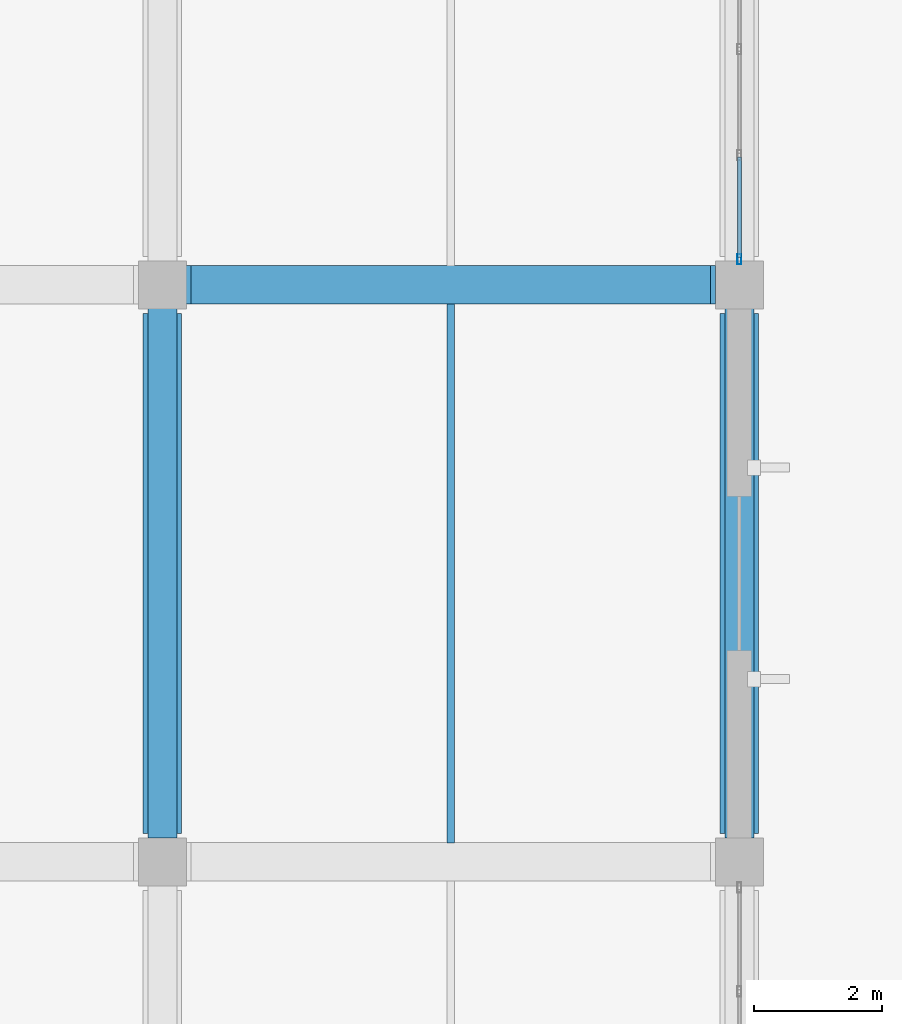
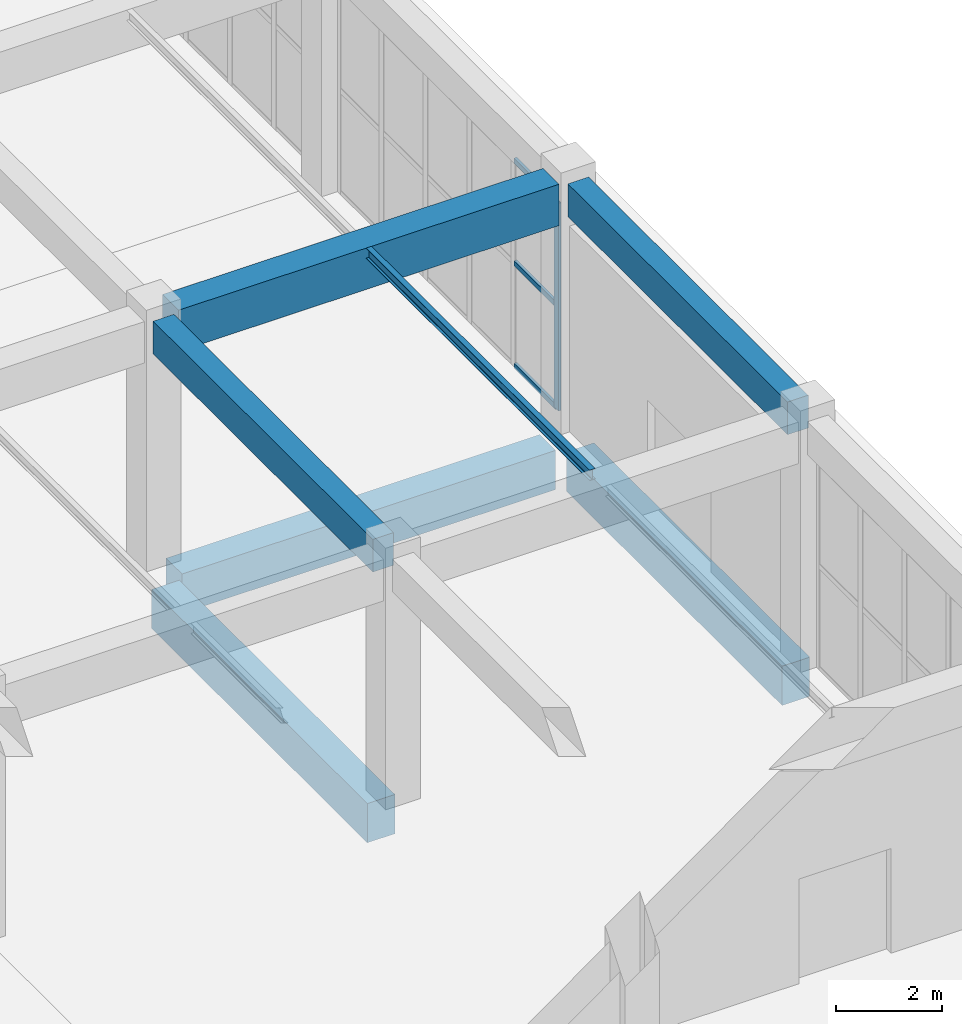
# One storey, part 13 of 91: 7 beams, 4 members, 1 element without a shape of its own.
"""IFC4 building model written with IfcOpenShell, lengths in metres."""

from ifc_helpers import new_model, si_unit, direction, frame, origin, origin_2d, place, context, subcontext, project, spatial, rectangle, hollow_rectangle, i_section, extrude, material, layer, layer_set, material_profile, profile_set, type_object, element, aggregate, save


model = new_model("IFC4")

# Units and contexts
model_context = context("Model", 3, precision=1e-05, world=origin(), true_north=direction((0.0, 1.0)))
body_context = subcontext(model_context, "Body", "Model", "MODEL_VIEW")
ifc_project = project(units=[si_unit("LENGTHUNIT", "METRE"), si_unit("AREAUNIT", "SQUARE_METRE"), si_unit("VOLUMEUNIT", "CUBIC_METRE"), si_unit("PLANEANGLEUNIT", "RADIAN"), si_unit("MASSUNIT", "GRAM", prefix="KILO")], contexts=[model_context])

# Site, building, storey
site_placement = place(None, origin())
site = spatial("IfcSite", under=ifc_project, at=site_placement, CompositionType="ELEMENT")
building_placement = place(site_placement, origin())
building = spatial("IfcBuilding", under=site, at=building_placement, Name="Dornveld Trade and Exhibition Forum", CompositionType="ELEMENT")
storey_placement = place(building_placement, origin())
storey = spatial("IfcBuildingStorey", under=building, at=storey_placement, Name="L00", CompositionType="ELEMENT", Elevation=0.0)

# Beams
ifc_material_1 = material(Name="Concrete C40/50", Category="concrete")
ifc_material_profile_1 = material_profile(ifc_material_1, rectangle(XDim=0.60009765625, YDim=0.89990234375, at=origin_2d()), Name="RC-GB 600x900")
ifc_profile_set_1 = profile_set([ifc_material_profile_1], Name="Concrete C40/50")
beam_type_1 = type_object("IfcBeamType", Name="BM-GB-600x900", PredefinedType="BEAM", material=ifc_profile_set_1)
for number, where, z_axis, x_axis, name in (
    (1, (225.446044921875, 18.0, -0.830078125), (1.0, 0.0, 0.0), (0.0, 1.0, 0.0), "L00 X-girder 592"),
    (2, (225.0, 9.446044921875, -0.830078125), (0.0, 1.0, 0.0), (-1.0, 0.0, 0.0), "L00 Y-girder 644"),
    (3, (234.0, 9.446044921875, -0.830078125), (0.0, 1.0, 0.0), (-1.0, 0.0, 0.0), "L00 Y-girder 648"),
):
    element("IfcBeam", number, at=place(storey_placement, frame(where, z_axis=z_axis, x_axis=x_axis)), inside=storey, type_object=beam_type_1, Name=name, PredefinedType="BEAM", context=body_context, shape_type="SweptSolid", body=[
        extrude(rectangle(XDim=0.60009765625, YDim=0.89990234375, at=origin_2d()), origin(), (0.0, 0.0, 1.0), 8.10791015625),
    ])
ifc_material_2 = material(Name="Steel S355J2", Category="steel")
ifc_material_profile_2 = material_profile(ifc_material_2, i_section(OverallWidth=0.1201171875, OverallDepth=0.239990234375, WebThickness=0.006103515625, FlangeThickness=0.009765625, FilletRadius=0.014892578125, at=origin_2d()), Name="IPE 240")
ifc_profile_set_2 = profile_set([ifc_material_profile_2], Name="Steel S355J2")
beam_type_2 = type_object("IfcBeamType", Name="BM-JOIST-240", PredefinedType="JOIST", material=ifc_profile_set_2)
beam_1_placement = place(storey_placement, frame((229.5, 9.297119140625, 5.580078125), z_axis=(0.0, 1.0, 0.0), x_axis=(-1.0, 0.0, 0.0)))
element("IfcBeam", 4, at=beam_1_placement, inside=storey, type_object=beam_type_2, Name="L00 secondary joist 950", PredefinedType="JOIST", context=body_context, shape_type="SweptSolid", body=[
    extrude(i_section(OverallWidth=0.1201171875, OverallDepth=0.239990234375, WebThickness=0.006103515625, FlangeThickness=0.009765625, FilletRadius=0.014892578125, at=origin_2d()), origin(), (0.0, 0.0, 1.0), 8.40576171875),
])
ifc_material_3 = material(Name="Precast concrete C50/60", Category="concrete")
ifc_material_profile_3 = material_profile(ifc_material_3, rectangle(XDim=0.449951171875, YDim=0.75, at=origin_2d()), Name="PC-BM 450x750")
ifc_profile_set_3 = profile_set([ifc_material_profile_3], Name="Precast concrete C50/60")
beam_type_3 = type_object("IfcBeamType", Name="BM-PC-450x750", PredefinedType="BEAM", material=ifc_profile_set_3)
for number, where, z_axis, x_axis, name in (
    (5, (225.0, 9.37109375, 5.324951171875), (0.0, 1.0, 0.0), (-1.0, 0.0, 0.0), "L00 Y-girder 923"),
    (6, (234.0, 9.37109375, 5.324951171875), (0.0, 1.0, 0.0), (-1.0, 0.0, 0.0), "L00 Y-girder 929"),
):
    element("IfcBeam", number, at=place(storey_placement, frame(where, z_axis=z_axis, x_axis=x_axis)), inside=storey, type_object=beam_type_3, Name=name, PredefinedType="BEAM", context=body_context, shape_type="SweptSolid", body=[
        extrude(rectangle(XDim=0.449951171875, YDim=0.75, at=origin_2d()), origin(), (0.0, 0.0, 1.0), 8.2578125),
    ])
ifc_material_4 = material(Name="Precast concrete C50/60", Category="concrete")
ifc_material_profile_4 = material_profile(ifc_material_4, rectangle(XDim=0.60009765625, YDim=0.949951171875, at=origin_2d()), Name="PC-GIR 600x950")
ifc_profile_set_4 = profile_set([ifc_material_profile_4], Name="Precast concrete C50/60")
beam_type_4 = type_object("IfcBeamType", Name="BM-PC-600x950", PredefinedType="T_BEAM", material=ifc_profile_set_4)
beam_2_placement = place(storey_placement, frame((225.37109375, 18.0, 5.22509765625), z_axis=(1.0, 0.0, 0.0), x_axis=(0.0, 1.0, 0.0)))
element("IfcBeam", 7, at=beam_2_placement, inside=storey, type_object=beam_type_4, Name="L00 X-girder 888", PredefinedType="T_BEAM", context=body_context, shape_type="SweptSolid", body=[
    extrude(rectangle(XDim=0.60009765625, YDim=0.949951171875, at=origin_2d()), origin(), (0.0, 0.0, 1.0), 8.2578125),
])

# Curtain wall, members
ifc_material_5 = material(Name="Dark-bronze anodised aluminium and low-E glass", Category="aluminium")
ifc_layer = layer(ifc_material_5, 0.180908203125)
ifc_layer_set = layer_set([ifc_layer], Name="Dark-bronze anodised aluminium and low-E glass")
curtain_wall_type = type_object("IfcCurtainWallType", Name="CW-SYS-13", PredefinedType="USERDEFINED", material=ifc_layer_set)
curtain_wall_placement = place(storey_placement, origin())
curtain_wall = element("IfcCurtainWall", 8, at=curtain_wall_placement, inside=storey, type_object=curtain_wall_type, Name="L00 unitised curtain wall 67", ObjectType="UNITISED_CURTAIN_WALL", PredefinedType="USERDEFINED")
ifc_material_6 = material(Name="Dark-bronze anodised aluminium", Category="aluminium")
ifc_material_profile_5 = material_profile(ifc_material_6, hollow_rectangle(XDim=0.06005859375, YDim=0.159912109375, WallThickness=0.00390625, at=origin_2d()), Name="RHS 160x60x4")
ifc_profile_set_5 = profile_set([ifc_material_profile_5], Name="Dark-bronze anodised aluminium")
member_type_1 = type_object("IfcMemberType", Name="CW-MUL-160", PredefinedType="MULLION", material=ifc_profile_set_5)
member_1_placement = place(storey_placement, frame((234.0, 18.40087890625, -0.00390625), z_axis=(0.0, 0.0, 1.0), x_axis=(-1.0, 0.0, 0.0)))
member_1 = element("IfcMember", 9, at=member_1_placement, type_object=member_type_1, Name="CW-13 mullion 1", PredefinedType="MULLION", context=body_context, shape_type="SweptSolid", body=[
    extrude(hollow_rectangle(XDim=0.06005859375, YDim=0.159912109375, WallThickness=0.00390625, at=origin_2d()), origin(), (0.0, 0.0, 1.0), 4.763916015625),
])
ifc_material_7 = material(Name="Dark-bronze anodised aluminium", Category="aluminium")
ifc_material_profile_6 = material_profile(ifc_material_7, hollow_rectangle(XDim=0.06005859375, YDim=0.1201171875, WallThickness=0.00390625, at=origin_2d()), Name="RHS 120x60x4")
ifc_profile_set_6 = profile_set([ifc_material_profile_6], Name="Dark-bronze anodised aluminium")
member_type_2 = type_object("IfcMemberType", Name="CW-TRN-120", PredefinedType="USERDEFINED", material=ifc_profile_set_6)
member_2_placement = place(storey_placement, frame((234.0, 18.430908203125, 0.02587890625), z_axis=(0.0, 1.0, 0.0), x_axis=(-1.0, 0.0, 0.0)))
member_2 = element("IfcMember", 10, at=member_2_placement, type_object=member_type_2, Name="CW-13 transom 1.1", ObjectType="TRANSOM", PredefinedType="USERDEFINED", context=body_context, shape_type="SweptSolid", body=[
    extrude(hollow_rectangle(XDim=0.06005859375, YDim=0.1201171875, WallThickness=0.00390625, at=origin_2d()), origin(), (0.0, 0.0, 1.0), 1.561767578125),
])
member_3_placement = place(storey_placement, frame((234.0, 18.430908203125, 2.3779296875), z_axis=(0.0, 1.0, 0.0), x_axis=(-1.0, 0.0, 0.0)))
member_3 = element("IfcMember", 11, at=member_3_placement, type_object=member_type_2, Name="CW-13 transom 1.2", ObjectType="TRANSOM", PredefinedType="USERDEFINED", context=body_context, shape_type="SweptSolid", body=[
    extrude(hollow_rectangle(XDim=0.06005859375, YDim=0.1201171875, WallThickness=0.00390625, at=origin_2d()), origin(), (0.0, 0.0, 1.0), 1.561767578125),
])
member_4_placement = place(storey_placement, frame((234.0, 18.430908203125, 4.72998046875), z_axis=(0.0, 1.0, 0.0), x_axis=(-1.0, 0.0, 0.0)))
member_4 = element("IfcMember", 12, at=member_4_placement, type_object=member_type_2, Name="CW-13 transom 1.3", ObjectType="TRANSOM", PredefinedType="USERDEFINED", context=body_context, shape_type="SweptSolid", body=[
    extrude(hollow_rectangle(XDim=0.06005859375, YDim=0.1201171875, WallThickness=0.00390625, at=origin_2d()), origin(), (0.0, 0.0, 1.0), 1.561767578125),
])
aggregate(curtain_wall, [member_1, member_2, member_3, member_4])

save(model, "model.ifc")
